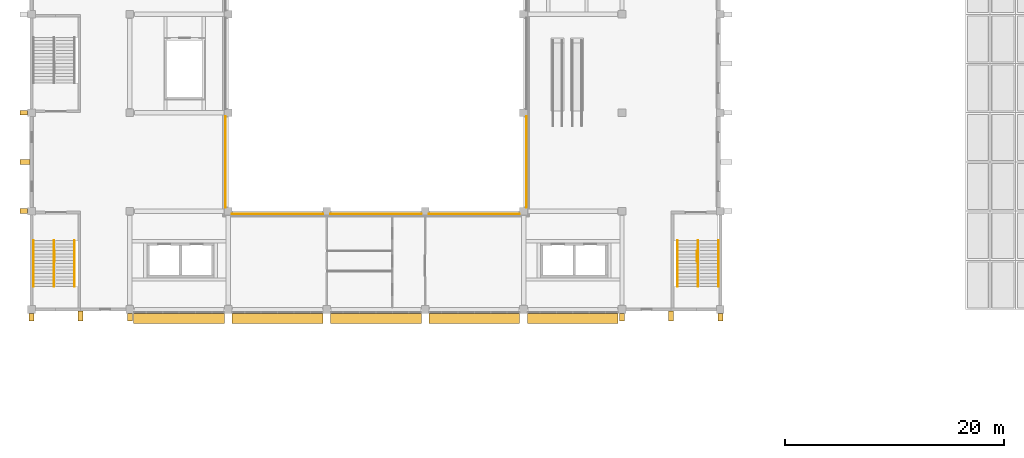
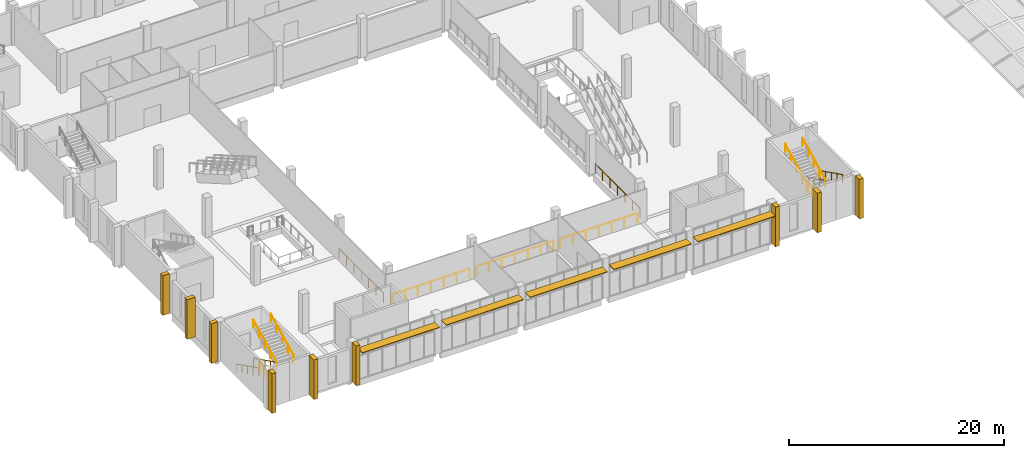
# One storey, part 38 of 45: 15 railings, 9 coverings, 5 shading devices.
"""IFC4 building model written with IfcOpenShell, lengths in metres."""

from ifc_helpers import new_model, si_unit, direction, frame, origin, origin_2d, place, context, subcontext, project, spatial, rectangle, circle, extrude, material, layer, layer_set, type_object, element, save


model = new_model("IFC4")

# Units and contexts
model_context = context("Model", 3, precision=1e-05, world=origin(), true_north=direction((0.0, 1.0)))
body_context = subcontext(model_context, "Body", "Model", "MODEL_VIEW")
ifc_project = project(units=[si_unit("LENGTHUNIT", "METRE"), si_unit("AREAUNIT", "SQUARE_METRE"), si_unit("VOLUMEUNIT", "CUBIC_METRE"), si_unit("PLANEANGLEUNIT", "RADIAN"), si_unit("MASSUNIT", "GRAM", prefix="KILO")], contexts=[model_context])

# Site, building, storey
site_placement = place(None, origin())
site = spatial("IfcSite", under=ifc_project, at=site_placement, CompositionType="ELEMENT")
building_placement = place(site_placement, origin())
building = spatial("IfcBuilding", under=site, at=building_placement, Name="Guidao Yard Department Store", CompositionType="ELEMENT")
storey_placement = place(building_placement, frame((0.0, 0.0, 19.5)))
storey = spatial("IfcBuildingStorey", under=building, at=storey_placement, Name="L04", CompositionType="ELEMENT", Elevation=19.5)

# Railings
ifc_material_1 = material(Name="Steel Q235", Category="steel")
railing_type_1 = type_object("IfcRailingType", Name="Guard steel balustrade 1100", PredefinedType="GUARDRAIL", material=ifc_material_1)
for number, where, name in (
    (1, (60.875, 50.3701171875, 0.0), "Stair A2 guard L04 2"),
    (2, (2.125, 50.3701171875, 0.0), "Stair A8 guard L04 8"),
):
    element("IfcRailing", number, at=place(storey_placement, frame(where)), inside=storey, type_object=railing_type_1, Name=name, PredefinedType="GUARDRAIL", context=body_context, shape_type="SweptSolid", body=[
        extrude(circle(Radius=0.02392578125, at=origin_2d()), frame((0.0, 0.0, 1.076171875), z_axis=(0.0, -1.0, 0.0), x_axis=(1.0, 0.0, 0.0)), (0.0, 0.0, 1.0), 1.0),
        extrude(circle(Radius=0.02099609375, at=origin_2d()), origin(), (0.0, 0.0, 1.0), 1.052001953125),
        extrude(circle(Radius=0.02099609375, at=origin_2d()), frame((0.0, -1.0, 0.0)), (0.0, 0.0, 1.0), 1.052001953125),
    ])
for number, where, name in (
    (3, (18.35009765625, 53.75, 0.0), "Guard atrium S L04"),
    (4, (27.35009765625, 53.75, 0.0), "Guard atrium S L04"),
    (5, (36.35009765625, 53.75, 0.0), "Guard atrium S L04"),
):
    element("IfcRailing", number, at=place(storey_placement, frame(where)), inside=storey, type_object=railing_type_1, Name=name, PredefinedType="GUARDRAIL", context=body_context, shape_type="SweptSolid", body=[
        extrude(circle(Radius=0.02392578125, at=origin_2d()), frame((0.0, 0.0, 1.076171875), z_axis=(1.0, 0.0, 0.0), x_axis=(0.0, 1.0, 0.0)), (0.0, 0.0, 1.0), 8.2998046875),
        extrude(circle(Radius=0.02099609375, at=origin_2d()), origin(), (0.0, 0.0, 1.0), 1.052001953125),
        extrude(circle(Radius=0.02099609375, at=origin_2d()), frame((1.38330078125, 0.0, 0.0)), (0.0, 0.0, 1.0), 1.052001953125),
        extrude(circle(Radius=0.02099609375, at=origin_2d()), frame((2.7666015625, 0.0, 0.0)), (0.0, 0.0, 1.0), 1.052001953125),
        extrude(circle(Radius=0.02099609375, at=origin_2d()), frame((4.14990234375, 0.0, 0.0)), (0.0, 0.0, 1.0), 1.052001953125),
        extrude(circle(Radius=0.02099609375, at=origin_2d()), frame((5.533203125, 0.0, 0.0)), (0.0, 0.0, 1.0), 1.052001953125),
        extrude(circle(Radius=0.02099609375, at=origin_2d()), frame((6.91650390625, 0.0, 0.0)), (0.0, 0.0, 1.0), 1.052001953125),
        extrude(circle(Radius=0.02099609375, at=origin_2d()), frame((8.2998046875, 0.0, 0.0)), (0.0, 0.0, 1.0), 1.052001953125),
    ])
railing_1_placement = place(storey_placement, frame((45.25, 54.35009765625, 0.0)))
element("IfcRailing", 6, at=railing_1_placement, inside=storey, type_object=railing_type_1, Name="Guard atrium E L04", PredefinedType="GUARDRAIL", context=body_context, shape_type="SweptSolid", body=[
    extrude(circle(Radius=0.02392578125, at=origin_2d()), frame((0.0, 0.0, 1.076171875), z_axis=(0.0, 1.0, 0.0), x_axis=(-1.0, 0.0, 0.0)), (0.0, 0.0, 1.0), 8.2998046875),
    extrude(circle(Radius=0.02099609375, at=origin_2d()), origin(), (0.0, 0.0, 1.0), 1.052001953125),
    extrude(circle(Radius=0.02099609375, at=origin_2d()), frame((0.0, 1.38330078125, 0.0)), (0.0, 0.0, 1.0), 1.052001953125),
    extrude(circle(Radius=0.02099609375, at=origin_2d()), frame((0.0, 2.7666015625, 0.0)), (0.0, 0.0, 1.0), 1.052001953125),
    extrude(circle(Radius=0.02099609375, at=origin_2d()), frame((0.0, 4.14990234375, 0.0)), (0.0, 0.0, 1.0), 1.052001953125),
    extrude(circle(Radius=0.02099609375, at=origin_2d()), frame((0.0, 5.533203125, 0.0)), (0.0, 0.0, 1.0), 1.052001953125),
    extrude(circle(Radius=0.02099609375, at=origin_2d()), frame((0.0, 6.91650390625, 0.0)), (0.0, 0.0, 1.0), 1.052001953125),
    extrude(circle(Radius=0.02099609375, at=origin_2d()), frame((0.0, 8.2998046875, 0.0)), (0.0, 0.0, 1.0), 1.052001953125),
])
railing_2_placement = place(storey_placement, frame((17.75, 62.64990234375, 0.0)))
element("IfcRailing", 7, at=railing_2_placement, inside=storey, type_object=railing_type_1, Name="Guard atrium W L04", PredefinedType="GUARDRAIL", context=body_context, shape_type="SweptSolid", body=[
    extrude(circle(Radius=0.02392578125, at=origin_2d()), frame((0.0, 0.0, 1.076171875), z_axis=(0.0, -1.0, 0.0), x_axis=(1.0, 0.0, 0.0)), (0.0, 0.0, 1.0), 8.2998046875),
    extrude(circle(Radius=0.02099609375, at=origin_2d()), origin(), (0.0, 0.0, 1.0), 1.052001953125),
    extrude(circle(Radius=0.02099609375, at=origin_2d()), frame((0.0, -1.38330078125, 0.0)), (0.0, 0.0, 1.0), 1.052001953125),
    extrude(circle(Radius=0.02099609375, at=origin_2d()), frame((0.0, -2.7666015625, 0.0)), (0.0, 0.0, 1.0), 1.052001953125),
    extrude(circle(Radius=0.02099609375, at=origin_2d()), frame((0.0, -4.14990234375, 0.0)), (0.0, 0.0, 1.0), 1.052001953125),
    extrude(circle(Radius=0.02099609375, at=origin_2d()), frame((0.0, -5.533203125, 0.0)), (0.0, 0.0, 1.0), 1.052001953125),
    extrude(circle(Radius=0.02099609375, at=origin_2d()), frame((0.0, -6.91650390625, 0.0)), (0.0, 0.0, 1.0), 1.052001953125),
    extrude(circle(Radius=0.02099609375, at=origin_2d()), frame((0.0, -8.2998046875, 0.0)), (0.0, 0.0, 1.0), 1.052001953125),
])
ifc_material_2 = material(Name="Steel Q235", Category="steel")
railing_type_2 = type_object("IfcRailingType", Name="Handrail steel tube 48", PredefinedType="HANDRAIL", material=ifc_material_2)
for number, where, name in (
    (8, (62.81494140625, 51.300048828125, 0.14990234375), "Stair A2 hand rail L04 5"),
    (9, (60.949951171875, 51.300048828125, 0.14990234375), "Stair A2 hand rail L04 6"),
):
    element("IfcRailing", number, at=place(storey_placement, frame(where)), inside=storey, type_object=railing_type_2, Name=name, PredefinedType="HANDRAIL", context=body_context, shape_type="SweptSolid", body=[
        extrude(circle(Radius=0.02392578125, at=origin_2d()), frame((0.0, 0.0, 0.8759765625), z_axis=(0.0, -0.894416792377, 0.447234392142), x_axis=(1.0, 0.0, 0.0)), (0.0, 0.0, 1.0), 4.69580078125),
        extrude(circle(Radius=0.02099609375, at=origin_2d()), origin(), (0.0, 0.0, 1.0), 0.851806640625),
        extrude(circle(Radius=0.02099609375, at=origin_2d()), frame((0.0, -1.050048828125, 0.52490234375)), (0.0, 0.0, 1.0), 0.851806640625),
        extrude(circle(Radius=0.02099609375, at=origin_2d()), frame((0.0, -2.10009765625, 1.050048828125)), (0.0, 0.0, 1.0), 0.851806640625),
        extrude(circle(Radius=0.02099609375, at=origin_2d()), frame((0.0, -3.14990234375, 1.5751953125)), (0.0, 0.0, 1.0), 0.851806640625),
        extrude(circle(Radius=0.02099609375, at=origin_2d()), frame((0.0, -4.199951171875, 2.10009765625)), (0.0, 0.0, 1.0), 0.851806640625),
    ])
for number, where, name in (
    (10, (59.0849609375, 47.10009765625, 2.39990234375), "Stair A2 hand rail L04 7"),
    (11, (60.949951171875, 47.10009765625, 2.39990234375), "Stair A2 hand rail L04 8"),
):
    element("IfcRailing", number, at=place(storey_placement, frame(where)), inside=storey, type_object=railing_type_2, Name=name, PredefinedType="HANDRAIL", context=body_context, shape_type="SweptSolid", body=[
        extrude(circle(Radius=0.02392578125, at=origin_2d()), frame((0.0, 0.0, 0.8759765625), z_axis=(0.0, 0.894416792377, 0.447234392142), x_axis=(-1.0, 0.0, 0.0)), (0.0, 0.0, 1.0), 4.69580078125),
        extrude(circle(Radius=0.02099609375, at=origin_2d()), origin(), (0.0, 0.0, 1.0), 0.851806640625),
        extrude(circle(Radius=0.02099609375, at=origin_2d()), frame((0.0, 1.050048828125, 0.52490234375)), (0.0, 0.0, 1.0), 0.851806640625),
        extrude(circle(Radius=0.02099609375, at=origin_2d()), frame((0.0, 2.10009765625, 1.050048828125)), (0.0, 0.0, 1.0), 0.851806640625),
        extrude(circle(Radius=0.02099609375, at=origin_2d()), frame((0.0, 3.14990234375, 1.5751953125)), (0.0, 0.0, 1.0), 0.851806640625),
        extrude(circle(Radius=0.02099609375, at=origin_2d()), frame((0.0, 4.199951171875, 2.10009765625)), (0.0, 0.0, 1.0), 0.851806640625),
    ])
for number, where, name in (
    (12, (0.18505859375, 51.300048828125, 0.14990234375), "Stair A8 hand rail L04 29"),
    (13, (2.050048828125, 51.300048828125, 0.14990234375), "Stair A8 hand rail L04 30"),
):
    element("IfcRailing", number, at=place(storey_placement, frame(where)), inside=storey, type_object=railing_type_2, Name=name, PredefinedType="HANDRAIL", context=body_context, shape_type="SweptSolid", body=[
        extrude(circle(Radius=0.02392578125, at=origin_2d()), frame((0.0, 0.0, 0.8759765625), z_axis=(0.0, -0.894416792377, 0.447234392142), x_axis=(1.0, 0.0, 0.0)), (0.0, 0.0, 1.0), 4.69580078125),
        extrude(circle(Radius=0.02099609375, at=origin_2d()), origin(), (0.0, 0.0, 1.0), 0.851806640625),
        extrude(circle(Radius=0.02099609375, at=origin_2d()), frame((0.0, -1.050048828125, 0.52490234375)), (0.0, 0.0, 1.0), 0.851806640625),
        extrude(circle(Radius=0.02099609375, at=origin_2d()), frame((0.0, -2.10009765625, 1.050048828125)), (0.0, 0.0, 1.0), 0.851806640625),
        extrude(circle(Radius=0.02099609375, at=origin_2d()), frame((0.0, -3.14990234375, 1.5751953125)), (0.0, 0.0, 1.0), 0.851806640625),
        extrude(circle(Radius=0.02099609375, at=origin_2d()), frame((0.0, -4.199951171875, 2.10009765625)), (0.0, 0.0, 1.0), 0.851806640625),
    ])
for number, where, name in (
    (14, (3.9150390625, 47.10009765625, 2.39990234375), "Stair A8 hand rail L04 31"),
    (15, (2.050048828125, 47.10009765625, 2.39990234375), "Stair A8 hand rail L04 32"),
):
    element("IfcRailing", number, at=place(storey_placement, frame(where)), inside=storey, type_object=railing_type_2, Name=name, PredefinedType="HANDRAIL", context=body_context, shape_type="SweptSolid", body=[
        extrude(circle(Radius=0.02392578125, at=origin_2d()), frame((0.0, 0.0, 0.8759765625), z_axis=(0.0, 0.894416792377, 0.447234392142), x_axis=(-1.0, 0.0, 0.0)), (0.0, 0.0, 1.0), 4.69580078125),
        extrude(circle(Radius=0.02099609375, at=origin_2d()), origin(), (0.0, 0.0, 1.0), 0.851806640625),
        extrude(circle(Radius=0.02099609375, at=origin_2d()), frame((0.0, 1.050048828125, 0.52490234375)), (0.0, 0.0, 1.0), 0.851806640625),
        extrude(circle(Radius=0.02099609375, at=origin_2d()), frame((0.0, 2.10009765625, 1.050048828125)), (0.0, 0.0, 1.0), 0.851806640625),
        extrude(circle(Radius=0.02099609375, at=origin_2d()), frame((0.0, 3.14990234375, 1.5751953125)), (0.0, 0.0, 1.0), 0.851806640625),
        extrude(circle(Radius=0.02099609375, at=origin_2d()), frame((0.0, 4.199951171875, 2.10009765625)), (0.0, 0.0, 1.0), 0.851806640625),
    ])

# Coverings
ifc_material_3 = material(Name="Precast concrete C40/50", Category="concrete")
ifc_layer_1 = layer(ifc_material_3, 0.449951171875)
ifc_layer_set_1 = layer_set([ifc_layer_1], Name="Precast fin FN1 board-formed concrete")
covering_type = type_object("IfcCoveringType", Name="Precast fin FN1 board-formed concrete", PredefinedType="CLADDING", material=ifc_layer_set_1)
covering_1_placement = place(storey_placement, frame((0.0, 44.300048828125, 0.0), z_axis=(0.0, 0.0, 1.0), x_axis=(-1.0, 0.0, 0.0)))
element("IfcCovering", 16, at=covering_1_placement, inside=storey, type_object=covering_type, Name="Precast fin", PredefinedType="CLADDING", context=body_context, shape_type="SweptSolid", body=[
    extrude(rectangle(XDim=0.449951171875, YDim=0.699951171875, at=origin_2d()), origin(), (0.0, 0.0, 1.0), 4.5),
])
covering_2_placement = place(storey_placement, frame((4.5, 44.39990234375, 0.0), z_axis=(0.0, 0.0, 1.0), x_axis=(-1.0, 0.0, 0.0)))
element("IfcCovering", 17, at=covering_2_placement, inside=storey, type_object=covering_type, Name="Precast fin", PredefinedType="CLADDING", context=body_context, shape_type="SweptSolid", body=[
    extrude(rectangle(XDim=0.449951171875, YDim=0.89990234375, at=origin_2d()), origin(), (0.0, 0.0, 1.0), 4.5),
])
for number, where, z_axis, x_axis, name in (
    (18, (9.0, 44.300048828125, 0.0), (0.0, 0.0, 1.0), (-1.0, 0.0, 0.0), "Precast fin"),
    (19, (54.0, 44.300048828125, 0.0), (0.0, 0.0, 1.0), (-1.0, 0.0, 0.0), "Precast fin"),
):
    element("IfcCovering", number, at=place(storey_placement, frame(where, z_axis=z_axis, x_axis=x_axis)), inside=storey, type_object=covering_type, Name=name, PredefinedType="CLADDING", context=body_context, shape_type="SweptSolid", body=[
        extrude(rectangle(XDim=0.449951171875, YDim=0.699951171875, at=origin_2d()), origin(), (0.0, 0.0, 1.0), 4.5),
    ])
covering_3_placement = place(storey_placement, frame((58.5, 44.39990234375, 0.0), z_axis=(0.0, 0.0, 1.0), x_axis=(-1.0, 0.0, 0.0)))
element("IfcCovering", 20, at=covering_3_placement, inside=storey, type_object=covering_type, Name="Precast fin", PredefinedType="CLADDING", context=body_context, shape_type="SweptSolid", body=[
    extrude(rectangle(XDim=0.449951171875, YDim=0.89990234375, at=origin_2d()), origin(), (0.0, 0.0, 1.0), 4.5),
])
for number, where, z_axis, x_axis, name in (
    (21, (63.0, 44.300048828125, 0.0), (0.0, 0.0, 1.0), (-1.0, 0.0, 0.0), "Precast fin"),
    (22, (-0.699951171875, 54.0, 0.0), (0.0, 0.0, 1.0), (0.0, 1.0, 0.0), "Precast fin"),
):
    element("IfcCovering", number, at=place(storey_placement, frame(where, z_axis=z_axis, x_axis=x_axis)), inside=storey, type_object=covering_type, Name=name, PredefinedType="CLADDING", context=body_context, shape_type="SweptSolid", body=[
        extrude(rectangle(XDim=0.449951171875, YDim=0.699951171875, at=origin_2d()), origin(), (0.0, 0.0, 1.0), 4.5),
    ])
covering_4_placement = place(storey_placement, frame((-0.60009765625, 58.5, 0.0), z_axis=(0.0, 0.0, 1.0), x_axis=(0.0, 1.0, 0.0)))
element("IfcCovering", 23, at=covering_4_placement, inside=storey, type_object=covering_type, Name="Precast fin", PredefinedType="CLADDING", context=body_context, shape_type="SweptSolid", body=[
    extrude(rectangle(XDim=0.449951171875, YDim=0.89990234375, at=origin_2d()), origin(), (0.0, 0.0, 1.0), 4.5),
])
covering_5_placement = place(storey_placement, frame((-0.699951171875, 63.0, 0.0), z_axis=(0.0, 0.0, 1.0), x_axis=(0.0, 1.0, 0.0)))
element("IfcCovering", 24, at=covering_5_placement, inside=storey, type_object=covering_type, Name="Precast fin", PredefinedType="CLADDING", context=body_context, shape_type="SweptSolid", body=[
    extrude(rectangle(XDim=0.449951171875, YDim=0.699951171875, at=origin_2d()), origin(), (0.0, 0.0, 1.0), 4.5),
])

# Shading devices
ifc_material_4 = material(Name="Aluminium 6063-T5", Category="aluminium")
ifc_layer_2 = layer(ifc_material_4, 0.080078125)
ifc_layer_set_2 = layer_set([ifc_layer_2], Name="Sunshade blade SB1 aluminium")
shading_device_type = type_object("IfcShadingDeviceType", Name="Sunshade blade SB1 aluminium", PredefinedType="SHUTTER", material=ifc_layer_set_2)
for number, where, z_axis, x_axis, name in (
    (25, (13.5, 44.18994140625, 3.599853515625), (0.0, 0.0, 1.0), (-1.0, 0.0, 0.0), "Sunshade blade"),
    (26, (22.5, 44.18994140625, 3.599853515625), (0.0, 0.0, 1.0), (-1.0, 0.0, 0.0), "Sunshade blade"),
    (27, (31.5, 44.18994140625, 3.599853515625), (0.0, 0.0, 1.0), (-1.0, 0.0, 0.0), "Sunshade blade"),
    (28, (40.5, 44.18994140625, 3.599853515625), (0.0, 0.0, 1.0), (-1.0, 0.0, 0.0), "Sunshade blade"),
    (29, (49.5, 44.18994140625, 3.599853515625), (0.0, 0.0, 1.0), (-1.0, 0.0, 0.0), "Sunshade blade"),
):
    element("IfcShadingDevice", number, at=place(storey_placement, frame(where, z_axis=z_axis, x_axis=x_axis)), inside=storey, type_object=shading_device_type, Name=name, PredefinedType="SHUTTER", context=body_context, shape_type="SweptSolid", body=[
        extrude(rectangle(XDim=8.300048828125, YDim=0.89990234375, at=origin_2d()), origin(), (0.0, 0.0, 1.0), 0.080078125),
    ])

save(model, "model.ifc")
